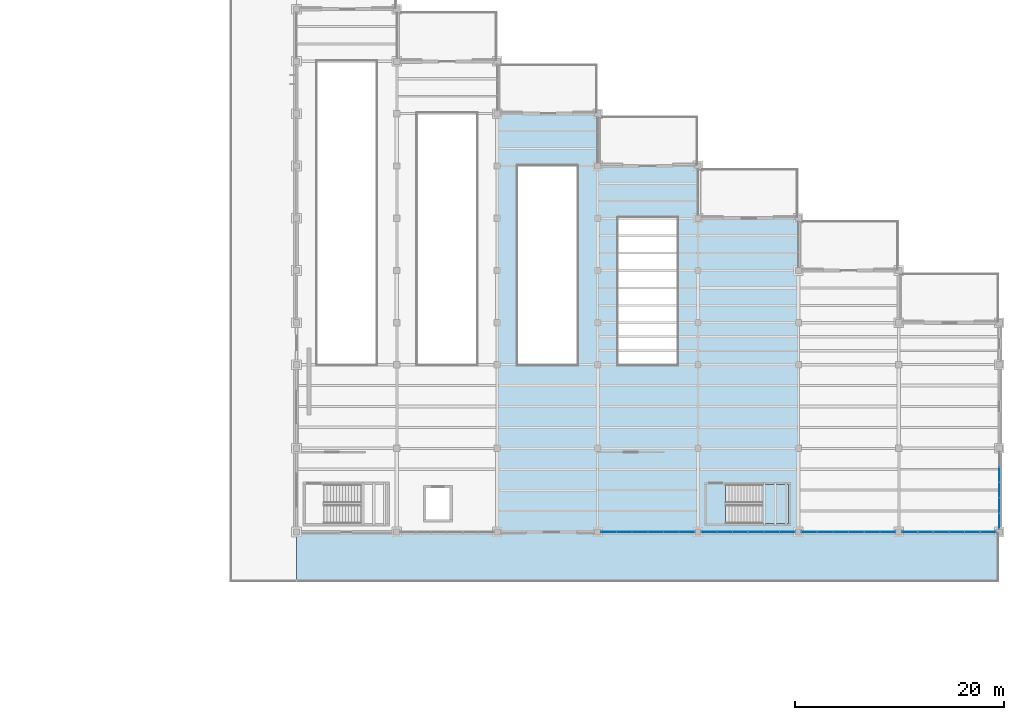
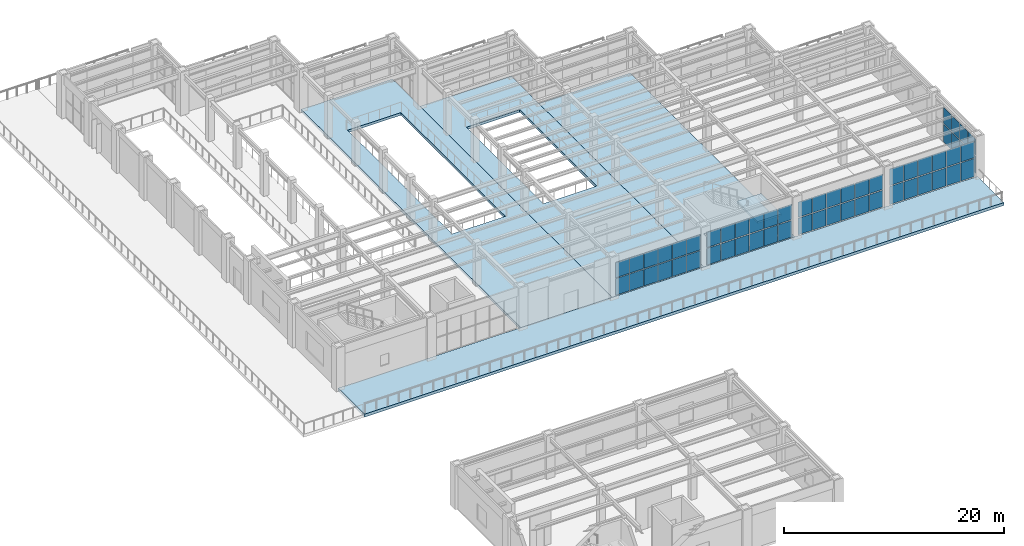
# One storey, part 53 of 83: 56 plates, 5 slabs, 6 elements without a shape of their own.
"""IFC4 building model written with IfcOpenShell, lengths in metres."""

import ifcopenshell
import ifcopenshell.guid

model = None  # the IFC model being written
_history = None  # IfcOwnerHistory: only IFC2X3 demands one
_inside = {}  # id of a spatial element -> (the spatial element, [elements in it])
_under = {}  # id of a project, library or spatial element -> (it, [spatial elements below it])
_declared = {}  # id of a project -> (the project, [libraries it declares])
_typed = {}  # id of a type object -> (the type object, [elements of that type])
_made_of = {}  # id of a material, layer set ... -> (it, [elements and type objects made of it])


def new_model(schema):
    """Start an empty IFC model of exactly this schema.

    Asked for "IFC4X3", IfcOpenShell would pick the latest addendum, in which some entities
    have other attributes; the version numbers below select the first issue.
    IFC2X3 requires an IfcOwnerHistory on every rooted entity: one is made here for all.
    """
    global model, _history
    if schema == "IFC4X3":
        model = ifcopenshell.file(schema_version=(4, 3, 0, 0))
    else:
        model = ifcopenshell.file(schema=schema)
    _inside.clear()
    _under.clear()
    _declared.clear()
    _typed.clear()
    _made_of.clear()
    _history = None
    if model.schema == "IFC2X3":
        org = make("IfcOrganization", Name="unknown")
        user = make(
            "IfcPersonAndOrganization",
            ThePerson=make("IfcPerson", FamilyName="unknown"),
            TheOrganization=org,
        )
        app = make(
            "IfcApplication",
            ApplicationDeveloper=org,
            Version="unknown",
            ApplicationFullName="unknown",
            ApplicationIdentifier="unknown",
        )
        _history = make(
            "IfcOwnerHistory",
            OwningUser=user,
            OwningApplication=app,
            ChangeAction="ADDED",
            CreationDate=0,
        )
    return model


def make(cls, **values):
    """One entity of the class cls with the attributes given. An attribute that is None is left unset."""
    return model.create_entity(
        cls, **{name: value for name, value in values.items() if value is not None}
    )


def rooted(cls, **values):
    """An entity with a GlobalId (a new one), such as an element, a storey or a relation."""
    return make(cls, GlobalId=ifcopenshell.guid.new(), OwnerHistory=_history, **values)


def si_unit(unit_type, name, prefix=None):
    """IfcSIUnit, for example si_unit("LENGTHUNIT", "METRE", prefix="MILLI")."""
    return make("IfcSIUnit", UnitType=unit_type, Prefix=prefix, Name=name)


def assignment(units):
    """IfcUnitAssignment: the units of a project."""
    return None if units is None else make("IfcUnitAssignment", Units=units)


def point(xyz):
    """IfcCartesianPoint."""
    return None if xyz is None else make("IfcCartesianPoint", Coordinates=xyz)


def direction(xyz):
    """IfcDirection."""
    return None if xyz is None else make("IfcDirection", DirectionRatios=xyz)


def frame(location, z_axis=None, x_axis=None):
    """IfcAxis2Placement3D, a coordinate frame: its origin and axes. An axis left out is left unset."""
    return make(
        "IfcAxis2Placement3D",
        Location=point(location),
        Axis=direction(z_axis),
        RefDirection=direction(x_axis),
    )


def frame_2d(location, x_axis=None):
    """IfcAxis2Placement2D, a coordinate frame in the plane: its origin and x axis."""
    return make(
        "IfcAxis2Placement2D", Location=point(location), RefDirection=direction(x_axis)
    )


def origin():
    """The frame at (0, 0, 0) with its axes left unset."""
    return frame((0.0, 0.0, 0.0))


def origin_2d():
    """The frame at (0, 0) in the plane with its x axis left unset."""
    return frame_2d((0.0, 0.0))


def place(relative_to, where):
    """IfcLocalPlacement: puts the frame where relative to a parent placement (None: the world)."""
    return make(
        "IfcLocalPlacement", PlacementRelTo=relative_to, RelativePlacement=where
    )


def context(
    kind, dimensions, precision=None, world=None, true_north=None, identifier=None
):
    """IfcGeometricRepresentationContext, for example the 3D "Model" context."""
    return make(
        "IfcGeometricRepresentationContext",
        ContextIdentifier=identifier,
        ContextType=kind,
        CoordinateSpaceDimension=dimensions,
        Precision=precision,
        WorldCoordinateSystem=world,
        TrueNorth=true_north,
    )


def subcontext(parent, identifier, kind, view, scale=None):
    """IfcGeometricRepresentationSubContext, for example "Body" below "Model"."""
    return make(
        "IfcGeometricRepresentationSubContext",
        ContextIdentifier=identifier,
        ContextType=kind,
        ParentContext=parent,
        TargetScale=scale,
        TargetView=view,
    )


def project(units=None, contexts=None):
    """IfcProject with its units and contexts."""
    return rooted(
        "IfcProject",
        Name="project",
        RepresentationContexts=contexts,
        UnitsInContext=assignment(units),
    )


def spatial(cls, under=None, at=None, **own):
    """A site, building, storey or space (cls), placed at a placement, below another one or the project."""
    s = rooted(cls, ObjectPlacement=at, **own)
    if under is not None:
        _under.setdefault(under.id(), (under, []))[1].append(s)
    return s


def polyline(points):
    """IfcPolyline through the points."""
    return make("IfcPolyline", Points=[point(p) for p in points])


def profile(cls, at=None, kind="AREA", **sizes):
    """A parametric profile (cls). Its sizes go by their IFC names, for example OverallWidth=200.0."""
    return make(cls, ProfileType=kind, Position=at, **sizes)


def rectangle(**sizes):
    """IfcRectangleProfileDef."""
    return profile("IfcRectangleProfileDef", **sizes)


def outline(outer, holes=None, kind="AREA"):
    """IfcArbitraryClosedProfileDef: a profile drawn as a closed curve; with holes, ...WithVoids."""
    if holes is None:
        return make("IfcArbitraryClosedProfileDef", ProfileType=kind, OuterCurve=outer)
    return make(
        "IfcArbitraryProfileDefWithVoids",
        ProfileType=kind,
        OuterCurve=outer,
        InnerCurves=holes,
    )


def extrude(swept, where, along, depth):
    """IfcExtrudedAreaSolid: the profile swept, set in the frame where, extruded along a direction by depth."""
    return make(
        "IfcExtrudedAreaSolid",
        SweptArea=swept,
        Position=where,
        ExtrudedDirection=direction(along),
        Depth=depth,
    )


def shape(context_of_items, identifier, shape_type, items):
    """IfcShapeRepresentation: the items that make up one representation, for example the "Body"."""
    return make(
        "IfcShapeRepresentation",
        ContextOfItems=context_of_items,
        RepresentationIdentifier=identifier,
        RepresentationType=shape_type,
        Items=items,
    )


def material(Name=None, Category=None):
    """IfcMaterial."""
    return make("IfcMaterial", Name=Name, Category=Category)


def layer(
    of_material, thickness, ventilated=None, Name=None, Category=None, Priority=None
):
    """IfcMaterialLayer: one layer of a wall or slab, of a material (None: an air gap)."""
    return make(
        "IfcMaterialLayer",
        Material=of_material,
        LayerThickness=thickness,
        IsVentilated=ventilated,
        Name=Name,
        Category=Category,
        Priority=Priority,
    )


def layer_set(layers, Name=None):
    """IfcMaterialLayerSet."""
    return make("IfcMaterialLayerSet", MaterialLayers=layers, LayerSetName=Name)


def made_of(thing, what):
    """Note that an element or type object is made of a material, layer set ...; save() writes the relation."""
    if what is not None:
        _made_of.setdefault(what.id(), (what, []))[1].append(thing)
    return thing


def type_object(cls, material=None, **own):
    """A type object (cls), such as IfcWallType, which elements share."""
    return made_of(rooted(cls, **own), material)


def element(
    cls,
    number,
    at=None,
    inside=None,
    cuts=None,
    type_object=None,
    material=None,
    context=None,
    identifier="Body",
    shape_type=None,
    held_by="IfcProductDefinitionShape",
    body=None,
    shapes=None,
    **own,
):
    """One element of the class cls, such as IfcWall. Its Tag is "e" and its number.

    at: its placement. inside: the storey or other place that contains it. cuts: it is an
    opening in that element (IfcRelVoidsElement). A single representation is given by context,
    identifier, shape_type and body (its items); several are given by shapes. held_by: the class
    of the entity that holds the representations. save() writes the other relations.
    """
    e = rooted(cls, Tag="e%d" % number, ObjectPlacement=at, **own)
    if body is not None:
        shapes = [shape(context, identifier, shape_type, body)]
    if shapes is not None:
        e.Representation = make(held_by, Representations=shapes)
    if inside is not None:
        _inside.setdefault(inside.id(), (inside, []))[1].append(e)
    if cuts is not None:
        rooted(
            "IfcRelVoidsElement", RelatingBuildingElement=cuts, RelatedOpeningElement=e
        )
    if type_object is not None:
        _typed.setdefault(type_object.id(), (type_object, []))[1].append(e)
    return made_of(e, material)


def aggregate(whole, parts):
    """IfcRelAggregates: a whole, such as a stair, and the parts it consists of."""
    return rooted("IfcRelAggregates", RelatingObject=whole, RelatedObjects=parts)


def save(model, path):
    """Write the relations noted so far, then the file.

    IfcRelAggregates (storeys below a building ...), IfcRelContainedInSpatialStructure (elements
    in a storey), IfcRelDefinesByType, IfcRelAssociatesMaterial and IfcRelDeclares: one each for
    every whole, place, type object, material and project.
    """
    for whole, parts in _under.values():
        aggregate(whole, parts)
    for where, things in _inside.values():
        rooted(
            "IfcRelContainedInSpatialStructure",
            RelatedElements=things,
            RelatingStructure=where,
        )
    for kind, things in _typed.values():
        rooted("IfcRelDefinesByType", RelatedObjects=things, RelatingType=kind)
    for what, things in _made_of.values():
        rooted("IfcRelAssociatesMaterial", RelatedObjects=things, RelatingMaterial=what)
    for by, libraries in _declared.values():
        rooted("IfcRelDeclares", RelatingContext=by, RelatedDefinitions=libraries)
    model.write(path)


model = new_model("IFC4")

# Units and contexts
model_context = context("Model", 3, precision=1e-05, world=origin(), true_north=direction((0.0, 1.0)))
body_context = subcontext(model_context, "Body", "Model", "MODEL_VIEW")
ifc_project = project(units=[si_unit("LENGTHUNIT", "METRE"), si_unit("AREAUNIT", "SQUARE_METRE"), si_unit("VOLUMEUNIT", "CUBIC_METRE"), si_unit("PLANEANGLEUNIT", "RADIAN"), si_unit("MASSUNIT", "GRAM", prefix="KILO")], contexts=[model_context])

# Site, building, storey
site_placement = place(None, origin())
site = spatial("IfcSite", under=ifc_project, at=site_placement, CompositionType="ELEMENT")
building_placement = place(site_placement, origin())
building = spatial("IfcBuilding", under=site, at=building_placement, Name="Mavantir Sound Aquarium", CompositionType="ELEMENT")
storey_placement = place(building_placement, frame((0.0, 0.0, 10.5)))
storey = spatial("IfcBuildingStorey", under=building, at=storey_placement, Name="L02", CompositionType="ELEMENT", Elevation=10.5)

# Curtain wall, plates
ifc_material_1 = material(Name="Anodised Marine Aluminium and Low-E Glass", Category="aluminium")
curtain_wall_type_1 = type_object("IfcCurtainWallType", Name="CW-T15", PredefinedType="USERDEFINED", material=ifc_material_1)
curtain_wall_1_placement = place(storey_placement, origin())
curtain_wall_1 = element("IfcCurtainWall", 1, at=curtain_wall_1_placement, inside=storey, type_object=curtain_wall_type_1, Name="L02 unitised curtain wall CW-15 135", ObjectType="UNITISED GLAZING", PredefinedType="USERDEFINED")
ifc_material_2 = material(Name="Solar-Control Laminated Low-E Glass", Category="glass")
ifc_layer_1 = layer(ifc_material_2, 0.028076171875, Name="Solar-Control Laminated Low-E Glass")
ifc_layer_set_1 = layer_set([ifc_layer_1], Name="Solar-Control Laminated Low-E Glass")
plate_type_1 = type_object("IfcPlateType", Name="CW-PNL-28", PredefinedType="CURTAIN_PANEL", material=ifc_layer_set_1)
plate_1_placement = place(storey_placement, frame((137.856689453125, 40.800048828125, 0.10302734375), z_axis=(0.0, 0.0, 1.0), x_axis=(1.0, 0.0, 0.0)))
plate_1 = element("IfcPlate", 2, at=plate_1_placement, type_object=plate_type_1, Name="CW-L02-135 glazed curtain panel 1.1", PredefinedType="CURTAIN_PANEL", context=body_context, shape_type="SweptSolid", body=[
    extrude(rectangle(XDim=1.44921875, YDim=0.028076171875, at=origin_2d()), origin(), (0.0, 0.0, 1.0), 1.848388671875),
])
plate_2_placement = place(storey_placement, frame((137.856689453125, 40.800048828125, 2.04736328125), z_axis=(0.0, 0.0, 1.0), x_axis=(1.0, 0.0, 0.0)))
plate_2 = element("IfcPlate", 3, at=plate_2_placement, type_object=plate_type_1, Name="CW-L02-135 glazed curtain panel 1.2", PredefinedType="CURTAIN_PANEL", context=body_context, shape_type="SweptSolid", body=[
    extrude(rectangle(XDim=1.44921875, YDim=0.028076171875, at=origin_2d()), origin(), (0.0, 0.0, 1.0), 1.694580078125),
])
plate_3_placement = place(storey_placement, frame((139.35400390625, 40.800048828125, 0.10302734375), z_axis=(0.0, 0.0, 1.0), x_axis=(1.0, 0.0, 0.0)))
plate_3 = element("IfcPlate", 4, at=plate_3_placement, type_object=plate_type_1, Name="CW-L02-135 glazed curtain panel 2.1", PredefinedType="CURTAIN_PANEL", context=body_context, shape_type="SweptSolid", body=[
    extrude(rectangle(XDim=1.44921875, YDim=0.028076171875, at=origin_2d()), origin(), (0.0, 0.0, 1.0), 1.848388671875),
])
plate_4_placement = place(storey_placement, frame((139.35400390625, 40.800048828125, 2.04736328125), z_axis=(0.0, 0.0, 1.0), x_axis=(1.0, 0.0, 0.0)))
plate_4 = element("IfcPlate", 5, at=plate_4_placement, type_object=plate_type_1, Name="CW-L02-135 glazed curtain panel 2.2", PredefinedType="CURTAIN_PANEL", context=body_context, shape_type="SweptSolid", body=[
    extrude(rectangle(XDim=1.44921875, YDim=0.028076171875, at=origin_2d()), origin(), (0.0, 0.0, 1.0), 1.694580078125),
])
plate_5_placement = place(storey_placement, frame((140.851318359375, 40.800048828125, 0.10302734375), z_axis=(0.0, 0.0, 1.0), x_axis=(1.0, 0.0, 0.0)))
plate_5 = element("IfcPlate", 6, at=plate_5_placement, type_object=plate_type_1, Name="CW-L02-135 glazed curtain panel 3.1", PredefinedType="CURTAIN_PANEL", context=body_context, shape_type="SweptSolid", body=[
    extrude(rectangle(XDim=1.44921875, YDim=0.028076171875, at=origin_2d()), origin(), (0.0, 0.0, 1.0), 1.848388671875),
])
plate_6_placement = place(storey_placement, frame((140.851318359375, 40.800048828125, 2.04736328125), z_axis=(0.0, 0.0, 1.0), x_axis=(1.0, 0.0, 0.0)))
plate_6 = element("IfcPlate", 7, at=plate_6_placement, type_object=plate_type_1, Name="CW-L02-135 glazed curtain panel 3.2", PredefinedType="CURTAIN_PANEL", context=body_context, shape_type="SweptSolid", body=[
    extrude(rectangle(XDim=1.44921875, YDim=0.028076171875, at=origin_2d()), origin(), (0.0, 0.0, 1.0), 1.694580078125),
])
plate_7_placement = place(storey_placement, frame((142.3486328125, 40.800048828125, 0.10302734375), z_axis=(0.0, 0.0, 1.0), x_axis=(1.0, 0.0, 0.0)))
plate_7 = element("IfcPlate", 8, at=plate_7_placement, type_object=plate_type_1, Name="CW-L02-135 glazed curtain panel 4.1", PredefinedType="CURTAIN_PANEL", context=body_context, shape_type="SweptSolid", body=[
    extrude(rectangle(XDim=1.44921875, YDim=0.028076171875, at=origin_2d()), origin(), (0.0, 0.0, 1.0), 1.848388671875),
])
plate_8_placement = place(storey_placement, frame((142.3486328125, 40.800048828125, 2.04736328125), z_axis=(0.0, 0.0, 1.0), x_axis=(1.0, 0.0, 0.0)))
plate_8 = element("IfcPlate", 9, at=plate_8_placement, type_object=plate_type_1, Name="CW-L02-135 glazed curtain panel 4.2", PredefinedType="CURTAIN_PANEL", context=body_context, shape_type="SweptSolid", body=[
    extrude(rectangle(XDim=1.44921875, YDim=0.028076171875, at=origin_2d()), origin(), (0.0, 0.0, 1.0), 1.694580078125),
])
plate_9_placement = place(storey_placement, frame((143.845947265625, 40.800048828125, 0.10302734375), z_axis=(0.0, 0.0, 1.0), x_axis=(1.0, 0.0, 0.0)))
plate_9 = element("IfcPlate", 10, at=plate_9_placement, type_object=plate_type_1, Name="CW-L02-135 glazed curtain panel 5.1", PredefinedType="CURTAIN_PANEL", context=body_context, shape_type="SweptSolid", body=[
    extrude(rectangle(XDim=1.44921875, YDim=0.028076171875, at=origin_2d()), origin(), (0.0, 0.0, 1.0), 1.848388671875),
])
plate_10_placement = place(storey_placement, frame((143.845947265625, 40.800048828125, 2.04736328125), z_axis=(0.0, 0.0, 1.0), x_axis=(1.0, 0.0, 0.0)))
plate_10 = element("IfcPlate", 11, at=plate_10_placement, type_object=plate_type_1, Name="CW-L02-135 glazed curtain panel 5.2", PredefinedType="CURTAIN_PANEL", context=body_context, shape_type="SweptSolid", body=[
    extrude(rectangle(XDim=1.44921875, YDim=0.028076171875, at=origin_2d()), origin(), (0.0, 0.0, 1.0), 1.694580078125),
])
plate_11_placement = place(storey_placement, frame((145.34326171875, 40.800048828125, 0.10302734375), z_axis=(0.0, 0.0, 1.0), x_axis=(1.0, 0.0, 0.0)))
plate_11 = element("IfcPlate", 12, at=plate_11_placement, type_object=plate_type_1, Name="CW-L02-135 glazed curtain panel 6.1", PredefinedType="CURTAIN_PANEL", context=body_context, shape_type="SweptSolid", body=[
    extrude(rectangle(XDim=1.44921875, YDim=0.028076171875, at=origin_2d()), origin(), (0.0, 0.0, 1.0), 1.848388671875),
])
plate_12_placement = place(storey_placement, frame((145.34326171875, 40.800048828125, 2.04736328125), z_axis=(0.0, 0.0, 1.0), x_axis=(1.0, 0.0, 0.0)))
plate_12 = element("IfcPlate", 13, at=plate_12_placement, type_object=plate_type_1, Name="CW-L02-135 glazed curtain panel 6.2", PredefinedType="CURTAIN_PANEL", context=body_context, shape_type="SweptSolid", body=[
    extrude(rectangle(XDim=1.44921875, YDim=0.028076171875, at=origin_2d()), origin(), (0.0, 0.0, 1.0), 1.694580078125),
])
aggregate(curtain_wall_1, [plate_1, plate_2, plate_3, plate_4, plate_5, plate_6, plate_7, plate_8, plate_9, plate_10, plate_11, plate_12])

curtain_wall_type_2 = type_object("IfcCurtainWallType", Name="CW-T17", PredefinedType="USERDEFINED", material=ifc_material_1)
curtain_wall_2_placement = place(storey_placement, origin())
curtain_wall_2 = element("IfcCurtainWall", 14, at=curtain_wall_2_placement, inside=storey, type_object=curtain_wall_type_2, Name="L02 unitised curtain wall CW-17 137", ObjectType="UNITISED GLAZING", PredefinedType="USERDEFINED")
plate_13_placement = place(storey_placement, frame((157.056640625, 40.800048828125, 0.10302734375), z_axis=(0.0, 0.0, 1.0), x_axis=(1.0, 0.0, 0.0)))
plate_13 = element("IfcPlate", 15, at=plate_13_placement, type_object=plate_type_1, Name="CW-L02-137 glazed curtain panel 1.1", PredefinedType="CURTAIN_PANEL", context=body_context, shape_type="SweptSolid", body=[
    extrude(rectangle(XDim=1.44921875, YDim=0.028076171875, at=origin_2d()), origin(), (0.0, 0.0, 1.0), 1.848388671875),
])
plate_14_placement = place(storey_placement, frame((157.056640625, 40.800048828125, 2.04736328125), z_axis=(0.0, 0.0, 1.0), x_axis=(1.0, 0.0, 0.0)))
plate_14 = element("IfcPlate", 16, at=plate_14_placement, type_object=plate_type_1, Name="CW-L02-137 glazed curtain panel 1.2", PredefinedType="CURTAIN_PANEL", context=body_context, shape_type="SweptSolid", body=[
    extrude(rectangle(XDim=1.44921875, YDim=0.028076171875, at=origin_2d()), origin(), (0.0, 0.0, 1.0), 1.694580078125),
])
plate_15_placement = place(storey_placement, frame((158.553955078125, 40.800048828125, 0.10302734375), z_axis=(0.0, 0.0, 1.0), x_axis=(1.0, 0.0, 0.0)))
plate_15 = element("IfcPlate", 17, at=plate_15_placement, type_object=plate_type_1, Name="CW-L02-137 glazed curtain panel 2.1", PredefinedType="CURTAIN_PANEL", context=body_context, shape_type="SweptSolid", body=[
    extrude(rectangle(XDim=1.44921875, YDim=0.028076171875, at=origin_2d()), origin(), (0.0, 0.0, 1.0), 1.848388671875),
])
plate_16_placement = place(storey_placement, frame((158.553955078125, 40.800048828125, 2.04736328125), z_axis=(0.0, 0.0, 1.0), x_axis=(1.0, 0.0, 0.0)))
plate_16 = element("IfcPlate", 18, at=plate_16_placement, type_object=plate_type_1, Name="CW-L02-137 glazed curtain panel 2.2", PredefinedType="CURTAIN_PANEL", context=body_context, shape_type="SweptSolid", body=[
    extrude(rectangle(XDim=1.44921875, YDim=0.028076171875, at=origin_2d()), origin(), (0.0, 0.0, 1.0), 1.694580078125),
])
plate_17_placement = place(storey_placement, frame((160.05126953125, 40.800048828125, 0.10302734375), z_axis=(0.0, 0.0, 1.0), x_axis=(1.0, 0.0, 0.0)))
plate_17 = element("IfcPlate", 19, at=plate_17_placement, type_object=plate_type_1, Name="CW-L02-137 glazed curtain panel 3.1", PredefinedType="CURTAIN_PANEL", context=body_context, shape_type="SweptSolid", body=[
    extrude(rectangle(XDim=1.44921875, YDim=0.028076171875, at=origin_2d()), origin(), (0.0, 0.0, 1.0), 1.848388671875),
])
plate_18_placement = place(storey_placement, frame((160.05126953125, 40.800048828125, 2.04736328125), z_axis=(0.0, 0.0, 1.0), x_axis=(1.0, 0.0, 0.0)))
plate_18 = element("IfcPlate", 20, at=plate_18_placement, type_object=plate_type_1, Name="CW-L02-137 glazed curtain panel 3.2", PredefinedType="CURTAIN_PANEL", context=body_context, shape_type="SweptSolid", body=[
    extrude(rectangle(XDim=1.44921875, YDim=0.028076171875, at=origin_2d()), origin(), (0.0, 0.0, 1.0), 1.694580078125),
])
plate_19_placement = place(storey_placement, frame((161.548583984375, 40.800048828125, 0.10302734375), z_axis=(0.0, 0.0, 1.0), x_axis=(1.0, 0.0, 0.0)))
plate_19 = element("IfcPlate", 21, at=plate_19_placement, type_object=plate_type_1, Name="CW-L02-137 glazed curtain panel 4.1", PredefinedType="CURTAIN_PANEL", context=body_context, shape_type="SweptSolid", body=[
    extrude(rectangle(XDim=1.44921875, YDim=0.028076171875, at=origin_2d()), origin(), (0.0, 0.0, 1.0), 1.848388671875),
])
plate_20_placement = place(storey_placement, frame((161.548583984375, 40.800048828125, 2.04736328125), z_axis=(0.0, 0.0, 1.0), x_axis=(1.0, 0.0, 0.0)))
plate_20 = element("IfcPlate", 22, at=plate_20_placement, type_object=plate_type_1, Name="CW-L02-137 glazed curtain panel 4.2", PredefinedType="CURTAIN_PANEL", context=body_context, shape_type="SweptSolid", body=[
    extrude(rectangle(XDim=1.44921875, YDim=0.028076171875, at=origin_2d()), origin(), (0.0, 0.0, 1.0), 1.694580078125),
])
plate_21_placement = place(storey_placement, frame((163.0458984375, 40.800048828125, 0.10302734375), z_axis=(0.0, 0.0, 1.0), x_axis=(1.0, 0.0, 0.0)))
plate_21 = element("IfcPlate", 23, at=plate_21_placement, type_object=plate_type_1, Name="CW-L02-137 glazed curtain panel 5.1", PredefinedType="CURTAIN_PANEL", context=body_context, shape_type="SweptSolid", body=[
    extrude(rectangle(XDim=1.44921875, YDim=0.028076171875, at=origin_2d()), origin(), (0.0, 0.0, 1.0), 1.848388671875),
])
plate_22_placement = place(storey_placement, frame((163.0458984375, 40.800048828125, 2.04736328125), z_axis=(0.0, 0.0, 1.0), x_axis=(1.0, 0.0, 0.0)))
plate_22 = element("IfcPlate", 24, at=plate_22_placement, type_object=plate_type_1, Name="CW-L02-137 glazed curtain panel 5.2", PredefinedType="CURTAIN_PANEL", context=body_context, shape_type="SweptSolid", body=[
    extrude(rectangle(XDim=1.44921875, YDim=0.028076171875, at=origin_2d()), origin(), (0.0, 0.0, 1.0), 1.694580078125),
])
plate_23_placement = place(storey_placement, frame((164.543212890625, 40.800048828125, 0.10302734375), z_axis=(0.0, 0.0, 1.0), x_axis=(1.0, 0.0, 0.0)))
plate_23 = element("IfcPlate", 25, at=plate_23_placement, type_object=plate_type_1, Name="CW-L02-137 glazed curtain panel 6.1", PredefinedType="CURTAIN_PANEL", context=body_context, shape_type="SweptSolid", body=[
    extrude(rectangle(XDim=1.44921875, YDim=0.028076171875, at=origin_2d()), origin(), (0.0, 0.0, 1.0), 1.848388671875),
])
plate_24_placement = place(storey_placement, frame((164.543212890625, 40.800048828125, 2.04736328125), z_axis=(0.0, 0.0, 1.0), x_axis=(1.0, 0.0, 0.0)))
plate_24 = element("IfcPlate", 26, at=plate_24_placement, type_object=plate_type_1, Name="CW-L02-137 glazed curtain panel 6.2", PredefinedType="CURTAIN_PANEL", context=body_context, shape_type="SweptSolid", body=[
    extrude(rectangle(XDim=1.44921875, YDim=0.028076171875, at=origin_2d()), origin(), (0.0, 0.0, 1.0), 1.694580078125),
])
aggregate(curtain_wall_2, [plate_13, plate_14, plate_15, plate_16, plate_17, plate_18, plate_19, plate_20, plate_21, plate_22, plate_23, plate_24])

curtain_wall_type_3 = type_object("IfcCurtainWallType", Name="CW-T19", PredefinedType="USERDEFINED", material=ifc_material_1)
curtain_wall_3_placement = place(storey_placement, origin())
curtain_wall_3 = element("IfcCurtainWall", 27, at=curtain_wall_3_placement, inside=storey, type_object=curtain_wall_type_3, Name="L02 unitised curtain wall CW-19 139", ObjectType="UNITISED GLAZING", PredefinedType="USERDEFINED")
plate_25_placement = place(storey_placement, frame((175.199951171875, 41.846435546875, 0.10302734375), z_axis=(0.0, 0.0, 1.0), x_axis=(0.0, 1.0, 0.0)))
plate_25 = element("IfcPlate", 28, at=plate_25_placement, type_object=plate_type_1, Name="CW-L02-139 glazed curtain panel 1.1", PredefinedType="CURTAIN_PANEL", context=body_context, shape_type="SweptSolid", body=[
    extrude(rectangle(XDim=1.4287109375, YDim=0.028076171875, at=origin_2d()), origin(), (0.0, 0.0, 1.0), 1.94921875),
])
plate_26_placement = place(storey_placement, frame((175.199951171875, 41.846435546875, 2.148193359375), z_axis=(0.0, 0.0, 1.0), x_axis=(0.0, 1.0, 0.0)))
plate_26 = element("IfcPlate", 29, at=plate_26_placement, type_object=plate_type_1, Name="CW-L02-139 glazed curtain panel 1.2", PredefinedType="CURTAIN_PANEL", context=body_context, shape_type="SweptSolid", body=[
    extrude(rectangle(XDim=1.4287109375, YDim=0.028076171875, at=origin_2d()), origin(), (0.0, 0.0, 1.0), 1.78759765625),
])
plate_27_placement = place(storey_placement, frame((175.199951171875, 43.3232421875, 0.10302734375), z_axis=(0.0, 0.0, 1.0), x_axis=(0.0, 1.0, 0.0)))
plate_27 = element("IfcPlate", 30, at=plate_27_placement, type_object=plate_type_1, Name="CW-L02-139 glazed curtain panel 2.1", PredefinedType="CURTAIN_PANEL", context=body_context, shape_type="SweptSolid", body=[
    extrude(rectangle(XDim=1.4287109375, YDim=0.028076171875, at=origin_2d()), origin(), (0.0, 0.0, 1.0), 1.94921875),
])
plate_28_placement = place(storey_placement, frame((175.199951171875, 43.3232421875, 2.148193359375), z_axis=(0.0, 0.0, 1.0), x_axis=(0.0, 1.0, 0.0)))
plate_28 = element("IfcPlate", 31, at=plate_28_placement, type_object=plate_type_1, Name="CW-L02-139 glazed curtain panel 2.2", PredefinedType="CURTAIN_PANEL", context=body_context, shape_type="SweptSolid", body=[
    extrude(rectangle(XDim=1.4287109375, YDim=0.028076171875, at=origin_2d()), origin(), (0.0, 0.0, 1.0), 1.78759765625),
])
plate_29_placement = place(storey_placement, frame((175.199951171875, 44.800048828125, 0.10302734375), z_axis=(0.0, 0.0, 1.0), x_axis=(0.0, 1.0, 0.0)))
plate_29 = element("IfcPlate", 32, at=plate_29_placement, type_object=plate_type_1, Name="CW-L02-139 glazed curtain panel 3.1", PredefinedType="CURTAIN_PANEL", context=body_context, shape_type="SweptSolid", body=[
    extrude(rectangle(XDim=1.4287109375, YDim=0.028076171875, at=origin_2d()), origin(), (0.0, 0.0, 1.0), 1.94921875),
])
plate_30_placement = place(storey_placement, frame((175.199951171875, 44.800048828125, 2.148193359375), z_axis=(0.0, 0.0, 1.0), x_axis=(0.0, 1.0, 0.0)))
plate_30 = element("IfcPlate", 33, at=plate_30_placement, type_object=plate_type_1, Name="CW-L02-139 glazed curtain panel 3.2", PredefinedType="CURTAIN_PANEL", context=body_context, shape_type="SweptSolid", body=[
    extrude(rectangle(XDim=1.4287109375, YDim=0.028076171875, at=origin_2d()), origin(), (0.0, 0.0, 1.0), 1.78759765625),
])
plate_31_placement = place(storey_placement, frame((175.199951171875, 46.27685546875, 0.10302734375), z_axis=(0.0, 0.0, 1.0), x_axis=(0.0, 1.0, 0.0)))
plate_31 = element("IfcPlate", 34, at=plate_31_placement, type_object=plate_type_1, Name="CW-L02-139 glazed curtain panel 4.1", PredefinedType="CURTAIN_PANEL", context=body_context, shape_type="SweptSolid", body=[
    extrude(rectangle(XDim=1.4287109375, YDim=0.028076171875, at=origin_2d()), origin(), (0.0, 0.0, 1.0), 1.94921875),
])
plate_32_placement = place(storey_placement, frame((175.199951171875, 46.27685546875, 2.148193359375), z_axis=(0.0, 0.0, 1.0), x_axis=(0.0, 1.0, 0.0)))
plate_32 = element("IfcPlate", 35, at=plate_32_placement, type_object=plate_type_1, Name="CW-L02-139 glazed curtain panel 4.2", PredefinedType="CURTAIN_PANEL", context=body_context, shape_type="SweptSolid", body=[
    extrude(rectangle(XDim=1.4287109375, YDim=0.028076171875, at=origin_2d()), origin(), (0.0, 0.0, 1.0), 1.78759765625),
])
aggregate(curtain_wall_3, [plate_25, plate_26, plate_27, plate_28, plate_29, plate_30, plate_31, plate_32])

curtain_wall_type_4 = type_object("IfcCurtainWallType", Name="CW-T16", PredefinedType="USERDEFINED", material=ifc_material_1)
curtain_wall_4_placement = place(storey_placement, origin())
curtain_wall_4 = element("IfcCurtainWall", 36, at=curtain_wall_4_placement, inside=storey, type_object=curtain_wall_type_4, Name="L02 unitised curtain wall CW-16 136", ObjectType="UNITISED GLAZING", PredefinedType="USERDEFINED")
ifc_layer_2 = layer(ifc_material_2, 0.031982421875, Name="Solar-Control Laminated Low-E Glass")
ifc_layer_set_2 = layer_set([ifc_layer_2], Name="Solar-Control Laminated Low-E Glass")
plate_type_2 = type_object("IfcPlateType", Name="CW-PNL-32", PredefinedType="CURTAIN_PANEL", material=ifc_layer_set_2)
plate_33_placement = place(storey_placement, frame((147.456787109375, 40.800048828125, 0.10302734375), z_axis=(0.0, 0.0, 1.0), x_axis=(1.0, 0.0, 0.0)))
plate_33 = element("IfcPlate", 37, at=plate_33_placement, type_object=plate_type_2, Name="CW-L02-136 glazed curtain panel 1.1", PredefinedType="CURTAIN_PANEL", context=body_context, shape_type="SweptSolid", body=[
    extrude(rectangle(XDim=1.44921875, YDim=0.031982421875, at=origin_2d()), origin(), (0.0, 0.0, 1.0), 1.848388671875),
])
plate_34_placement = place(storey_placement, frame((147.456787109375, 40.800048828125, 2.04736328125), z_axis=(0.0, 0.0, 1.0), x_axis=(1.0, 0.0, 0.0)))
plate_34 = element("IfcPlate", 38, at=plate_34_placement, type_object=plate_type_2, Name="CW-L02-136 glazed curtain panel 1.2", PredefinedType="CURTAIN_PANEL", context=body_context, shape_type="SweptSolid", body=[
    extrude(rectangle(XDim=1.44921875, YDim=0.031982421875, at=origin_2d()), origin(), (0.0, 0.0, 1.0), 1.694580078125),
])
plate_35_placement = place(storey_placement, frame((148.9541015625, 40.800048828125, 0.10302734375), z_axis=(0.0, 0.0, 1.0), x_axis=(1.0, 0.0, 0.0)))
plate_35 = element("IfcPlate", 39, at=plate_35_placement, type_object=plate_type_2, Name="CW-L02-136 glazed curtain panel 2.1", PredefinedType="CURTAIN_PANEL", context=body_context, shape_type="SweptSolid", body=[
    extrude(rectangle(XDim=1.44921875, YDim=0.031982421875, at=origin_2d()), origin(), (0.0, 0.0, 1.0), 1.848388671875),
])
plate_36_placement = place(storey_placement, frame((148.9541015625, 40.800048828125, 2.04736328125), z_axis=(0.0, 0.0, 1.0), x_axis=(1.0, 0.0, 0.0)))
plate_36 = element("IfcPlate", 40, at=plate_36_placement, type_object=plate_type_2, Name="CW-L02-136 glazed curtain panel 2.2", PredefinedType="CURTAIN_PANEL", context=body_context, shape_type="SweptSolid", body=[
    extrude(rectangle(XDim=1.44921875, YDim=0.031982421875, at=origin_2d()), origin(), (0.0, 0.0, 1.0), 1.694580078125),
])
plate_37_placement = place(storey_placement, frame((150.451416015625, 40.800048828125, 0.10302734375), z_axis=(0.0, 0.0, 1.0), x_axis=(1.0, 0.0, 0.0)))
plate_37 = element("IfcPlate", 41, at=plate_37_placement, type_object=plate_type_2, Name="CW-L02-136 glazed curtain panel 3.1", PredefinedType="CURTAIN_PANEL", context=body_context, shape_type="SweptSolid", body=[
    extrude(rectangle(XDim=1.44921875, YDim=0.031982421875, at=origin_2d()), origin(), (0.0, 0.0, 1.0), 1.848388671875),
])
plate_38_placement = place(storey_placement, frame((150.451416015625, 40.800048828125, 2.04736328125), z_axis=(0.0, 0.0, 1.0), x_axis=(1.0, 0.0, 0.0)))
plate_38 = element("IfcPlate", 42, at=plate_38_placement, type_object=plate_type_2, Name="CW-L02-136 glazed curtain panel 3.2", PredefinedType="CURTAIN_PANEL", context=body_context, shape_type="SweptSolid", body=[
    extrude(rectangle(XDim=1.44921875, YDim=0.031982421875, at=origin_2d()), origin(), (0.0, 0.0, 1.0), 1.694580078125),
])
plate_39_placement = place(storey_placement, frame((151.94873046875, 40.800048828125, 0.10302734375), z_axis=(0.0, 0.0, 1.0), x_axis=(1.0, 0.0, 0.0)))
plate_39 = element("IfcPlate", 43, at=plate_39_placement, type_object=plate_type_2, Name="CW-L02-136 glazed curtain panel 4.1", PredefinedType="CURTAIN_PANEL", context=body_context, shape_type="SweptSolid", body=[
    extrude(rectangle(XDim=1.44921875, YDim=0.031982421875, at=origin_2d()), origin(), (0.0, 0.0, 1.0), 1.848388671875),
])
plate_40_placement = place(storey_placement, frame((151.94873046875, 40.800048828125, 2.04736328125), z_axis=(0.0, 0.0, 1.0), x_axis=(1.0, 0.0, 0.0)))
plate_40 = element("IfcPlate", 44, at=plate_40_placement, type_object=plate_type_2, Name="CW-L02-136 glazed curtain panel 4.2", PredefinedType="CURTAIN_PANEL", context=body_context, shape_type="SweptSolid", body=[
    extrude(rectangle(XDim=1.44921875, YDim=0.031982421875, at=origin_2d()), origin(), (0.0, 0.0, 1.0), 1.694580078125),
])
plate_41_placement = place(storey_placement, frame((153.446044921875, 40.800048828125, 0.10302734375), z_axis=(0.0, 0.0, 1.0), x_axis=(1.0, 0.0, 0.0)))
plate_41 = element("IfcPlate", 45, at=plate_41_placement, type_object=plate_type_2, Name="CW-L02-136 glazed curtain panel 5.1", PredefinedType="CURTAIN_PANEL", context=body_context, shape_type="SweptSolid", body=[
    extrude(rectangle(XDim=1.44921875, YDim=0.031982421875, at=origin_2d()), origin(), (0.0, 0.0, 1.0), 1.848388671875),
])
plate_42_placement = place(storey_placement, frame((153.446044921875, 40.800048828125, 2.04736328125), z_axis=(0.0, 0.0, 1.0), x_axis=(1.0, 0.0, 0.0)))
plate_42 = element("IfcPlate", 46, at=plate_42_placement, type_object=plate_type_2, Name="CW-L02-136 glazed curtain panel 5.2", PredefinedType="CURTAIN_PANEL", context=body_context, shape_type="SweptSolid", body=[
    extrude(rectangle(XDim=1.44921875, YDim=0.031982421875, at=origin_2d()), origin(), (0.0, 0.0, 1.0), 1.694580078125),
])
plate_43_placement = place(storey_placement, frame((154.943359375, 40.800048828125, 0.10302734375), z_axis=(0.0, 0.0, 1.0), x_axis=(1.0, 0.0, 0.0)))
plate_43 = element("IfcPlate", 47, at=plate_43_placement, type_object=plate_type_2, Name="CW-L02-136 glazed curtain panel 6.1", PredefinedType="CURTAIN_PANEL", context=body_context, shape_type="SweptSolid", body=[
    extrude(rectangle(XDim=1.44921875, YDim=0.031982421875, at=origin_2d()), origin(), (0.0, 0.0, 1.0), 1.848388671875),
])
plate_44_placement = place(storey_placement, frame((154.943359375, 40.800048828125, 2.04736328125), z_axis=(0.0, 0.0, 1.0), x_axis=(1.0, 0.0, 0.0)))
plate_44 = element("IfcPlate", 48, at=plate_44_placement, type_object=plate_type_2, Name="CW-L02-136 glazed curtain panel 6.2", PredefinedType="CURTAIN_PANEL", context=body_context, shape_type="SweptSolid", body=[
    extrude(rectangle(XDim=1.44921875, YDim=0.031982421875, at=origin_2d()), origin(), (0.0, 0.0, 1.0), 1.694580078125),
])
aggregate(curtain_wall_4, [plate_33, plate_34, plate_35, plate_36, plate_37, plate_38, plate_39, plate_40, plate_41, plate_42, plate_43, plate_44])

curtain_wall_type_5 = type_object("IfcCurtainWallType", Name="CW-T18", PredefinedType="USERDEFINED", material=ifc_material_1)
curtain_wall_5_placement = place(storey_placement, origin())
curtain_wall_5 = element("IfcCurtainWall", 49, at=curtain_wall_5_placement, inside=storey, type_object=curtain_wall_type_5, Name="L02 unitised curtain wall CW-18 138", ObjectType="UNITISED GLAZING", PredefinedType="USERDEFINED")
plate_45_placement = place(storey_placement, frame((166.65673828125, 40.800048828125, 0.10302734375), z_axis=(0.0, 0.0, 1.0), x_axis=(1.0, 0.0, 0.0)))
plate_45 = element("IfcPlate", 50, at=plate_45_placement, type_object=plate_type_2, Name="CW-L02-138 glazed curtain panel 1.1", PredefinedType="CURTAIN_PANEL", context=body_context, shape_type="SweptSolid", body=[
    extrude(rectangle(XDim=1.44921875, YDim=0.031982421875, at=origin_2d()), origin(), (0.0, 0.0, 1.0), 2.006103515625),
])
plate_46_placement = place(storey_placement, frame((166.65673828125, 40.800048828125, 2.205078125), z_axis=(0.0, 0.0, 1.0), x_axis=(1.0, 0.0, 0.0)))
plate_46 = element("IfcPlate", 51, at=plate_46_placement, type_object=plate_type_2, Name="CW-L02-138 glazed curtain panel 1.2", PredefinedType="CURTAIN_PANEL", context=body_context, shape_type="SweptSolid", body=[
    extrude(rectangle(XDim=1.44921875, YDim=0.031982421875, at=origin_2d()), origin(), (0.0, 0.0, 1.0), 1.840087890625),
])
plate_47_placement = place(storey_placement, frame((168.154052734375, 40.800048828125, 0.10302734375), z_axis=(0.0, 0.0, 1.0), x_axis=(1.0, 0.0, 0.0)))
plate_47 = element("IfcPlate", 52, at=plate_47_placement, type_object=plate_type_2, Name="CW-L02-138 glazed curtain panel 2.1", PredefinedType="CURTAIN_PANEL", context=body_context, shape_type="SweptSolid", body=[
    extrude(rectangle(XDim=1.44921875, YDim=0.031982421875, at=origin_2d()), origin(), (0.0, 0.0, 1.0), 2.006103515625),
])
plate_48_placement = place(storey_placement, frame((168.154052734375, 40.800048828125, 2.205078125), z_axis=(0.0, 0.0, 1.0), x_axis=(1.0, 0.0, 0.0)))
plate_48 = element("IfcPlate", 53, at=plate_48_placement, type_object=plate_type_2, Name="CW-L02-138 glazed curtain panel 2.2", PredefinedType="CURTAIN_PANEL", context=body_context, shape_type="SweptSolid", body=[
    extrude(rectangle(XDim=1.44921875, YDim=0.031982421875, at=origin_2d()), origin(), (0.0, 0.0, 1.0), 1.840087890625),
])
plate_49_placement = place(storey_placement, frame((169.6513671875, 40.800048828125, 0.10302734375), z_axis=(0.0, 0.0, 1.0), x_axis=(1.0, 0.0, 0.0)))
plate_49 = element("IfcPlate", 54, at=plate_49_placement, type_object=plate_type_2, Name="CW-L02-138 glazed curtain panel 3.1", PredefinedType="CURTAIN_PANEL", context=body_context, shape_type="SweptSolid", body=[
    extrude(rectangle(XDim=1.44921875, YDim=0.031982421875, at=origin_2d()), origin(), (0.0, 0.0, 1.0), 2.006103515625),
])
plate_50_placement = place(storey_placement, frame((169.6513671875, 40.800048828125, 2.205078125), z_axis=(0.0, 0.0, 1.0), x_axis=(1.0, 0.0, 0.0)))
plate_50 = element("IfcPlate", 55, at=plate_50_placement, type_object=plate_type_2, Name="CW-L02-138 glazed curtain panel 3.2", PredefinedType="CURTAIN_PANEL", context=body_context, shape_type="SweptSolid", body=[
    extrude(rectangle(XDim=1.44921875, YDim=0.031982421875, at=origin_2d()), origin(), (0.0, 0.0, 1.0), 1.840087890625),
])
plate_51_placement = place(storey_placement, frame((171.148681640625, 40.800048828125, 0.10302734375), z_axis=(0.0, 0.0, 1.0), x_axis=(1.0, 0.0, 0.0)))
plate_51 = element("IfcPlate", 56, at=plate_51_placement, type_object=plate_type_2, Name="CW-L02-138 glazed curtain panel 4.1", PredefinedType="CURTAIN_PANEL", context=body_context, shape_type="SweptSolid", body=[
    extrude(rectangle(XDim=1.44921875, YDim=0.031982421875, at=origin_2d()), origin(), (0.0, 0.0, 1.0), 2.006103515625),
])
plate_52_placement = place(storey_placement, frame((171.148681640625, 40.800048828125, 2.205078125), z_axis=(0.0, 0.0, 1.0), x_axis=(1.0, 0.0, 0.0)))
plate_52 = element("IfcPlate", 57, at=plate_52_placement, type_object=plate_type_2, Name="CW-L02-138 glazed curtain panel 4.2", PredefinedType="CURTAIN_PANEL", context=body_context, shape_type="SweptSolid", body=[
    extrude(rectangle(XDim=1.44921875, YDim=0.031982421875, at=origin_2d()), origin(), (0.0, 0.0, 1.0), 1.840087890625),
])
plate_53_placement = place(storey_placement, frame((172.64599609375, 40.800048828125, 0.10302734375), z_axis=(0.0, 0.0, 1.0), x_axis=(1.0, 0.0, 0.0)))
plate_53 = element("IfcPlate", 58, at=plate_53_placement, type_object=plate_type_2, Name="CW-L02-138 glazed curtain panel 5.1", PredefinedType="CURTAIN_PANEL", context=body_context, shape_type="SweptSolid", body=[
    extrude(rectangle(XDim=1.44921875, YDim=0.031982421875, at=origin_2d()), origin(), (0.0, 0.0, 1.0), 2.006103515625),
])
plate_54_placement = place(storey_placement, frame((172.64599609375, 40.800048828125, 2.205078125), z_axis=(0.0, 0.0, 1.0), x_axis=(1.0, 0.0, 0.0)))
plate_54 = element("IfcPlate", 59, at=plate_54_placement, type_object=plate_type_2, Name="CW-L02-138 glazed curtain panel 5.2", PredefinedType="CURTAIN_PANEL", context=body_context, shape_type="SweptSolid", body=[
    extrude(rectangle(XDim=1.44921875, YDim=0.031982421875, at=origin_2d()), origin(), (0.0, 0.0, 1.0), 1.840087890625),
])
plate_55_placement = place(storey_placement, frame((174.143310546875, 40.800048828125, 0.10302734375), z_axis=(0.0, 0.0, 1.0), x_axis=(1.0, 0.0, 0.0)))
plate_55 = element("IfcPlate", 60, at=plate_55_placement, type_object=plate_type_2, Name="CW-L02-138 glazed curtain panel 6.1", PredefinedType="CURTAIN_PANEL", context=body_context, shape_type="SweptSolid", body=[
    extrude(rectangle(XDim=1.44921875, YDim=0.031982421875, at=origin_2d()), origin(), (0.0, 0.0, 1.0), 2.006103515625),
])
plate_56_placement = place(storey_placement, frame((174.143310546875, 40.800048828125, 2.205078125), z_axis=(0.0, 0.0, 1.0), x_axis=(1.0, 0.0, 0.0)))
plate_56 = element("IfcPlate", 61, at=plate_56_placement, type_object=plate_type_2, Name="CW-L02-138 glazed curtain panel 6.2", PredefinedType="CURTAIN_PANEL", context=body_context, shape_type="SweptSolid", body=[
    extrude(rectangle(XDim=1.44921875, YDim=0.031982421875, at=origin_2d()), origin(), (0.0, 0.0, 1.0), 1.840087890625),
])
aggregate(curtain_wall_5, [plate_45, plate_46, plate_47, plate_48, plate_49, plate_50, plate_51, plate_52, plate_53, plate_54, plate_55, plate_56])

# Slabs
ifc_material_3 = material(Name="Concrete C40/50", Category="concrete")
ifc_layer_3 = layer(ifc_material_3, 0.2900390625, Name="Concrete C40/50")
ifc_layer_set_3 = layer_set([ifc_layer_3], Name="Concrete C40/50")
slab_type_1 = type_object("IfcSlabType", Name="SLB-FS-06", PredefinedType="FLOOR", material=ifc_layer_set_3)
slab_1_placement = place(storey_placement, frame((0.0, 0.0, -0.2900390625)))
element("IfcSlab", 62, at=slab_1_placement, inside=storey, type_object=slab_type_1, Name="L02 structural slab FS-06 (V4)", PredefinedType="FLOOR", context=body_context, shape_type="SweptSolid", body=[
    extrude(outline(polyline([(136.800048828125, 40.800048828125), (136.800048828125, 80.800048828125), (127.199951171875, 80.800048828125), (127.199951171875, 40.800048828125), (136.800048828125, 40.800048828125)]), holes=[polyline([(129.199951171875, 56.800048828125), (134.800048828125, 56.800048828125), (134.800048828125, 75.800048828125), (129.199951171875, 75.800048828125), (129.199951171875, 56.800048828125)])]), origin(), (0.0, 0.0, 1.0), 0.2900390625),
])
slab_2_placement = place(storey_placement, frame((0.0, 0.0, -0.2900390625)))
element("IfcSlab", 63, at=slab_2_placement, inside=storey, type_object=slab_type_1, Name="L02 structural slab FS-06 (V4)", PredefinedType="FLOOR", context=body_context, shape_type="SweptSolid", body=[
    extrude(outline(polyline([(146.39990234375, 40.800048828125), (146.39990234375, 75.800048828125), (136.800048828125, 75.800048828125), (136.800048828125, 40.800048828125), (146.39990234375, 40.800048828125)]), holes=[polyline([(138.800048828125, 56.800048828125), (144.39990234375, 56.800048828125), (144.39990234375, 70.800048828125), (138.800048828125, 70.800048828125), (138.800048828125, 56.800048828125)])]), origin(), (0.0, 0.0, 1.0), 0.2900390625),
])
slab_3_placement = place(storey_placement, frame((0.0, 0.0, -0.2900390625)))
element("IfcSlab", 64, at=slab_3_placement, inside=storey, type_object=slab_type_1, Name="L02 structural slab FS-06 (V4)", PredefinedType="FLOOR", context=body_context, shape_type="SweptSolid", body=[
    extrude(outline(polyline([(156.0, 40.800048828125), (156.0, 70.800048828125), (146.39990234375, 70.800048828125), (146.39990234375, 40.800048828125), (156.0, 40.800048828125)]), holes=[polyline([(149.050048828125, 41.60009765625), (155.050048828125, 41.60009765625), (155.050048828125, 45.35009765625), (149.050048828125, 45.35009765625), (149.050048828125, 41.60009765625)])]), origin(), (0.0, 0.0, 1.0), 0.2900390625),
])

# Stair, slab
stair_type = type_object("IfcStairType", Name="STR-1800-4800", PredefinedType="HALF_TURN_STAIR", material=ifc_material_3)
stair_placement = place(storey_placement, origin())
stair = element("IfcStair", 65, at=stair_placement, inside=storey, type_object=stair_type, Name="L02 Protected exit stair ST12", PredefinedType="HALF_TURN_STAIR")
ifc_layer_4 = layer(ifc_material_3, 0.199951171875, Name="Concrete C40/50")
ifc_layer_set_4 = layer_set([ifc_layer_4], Name="Concrete C40/50")
slab_type_2 = type_object("IfcSlabType", Name="SLB-LND-360", PredefinedType="LANDING", material=ifc_layer_set_4)
slab_4_placement = place(storey_placement, frame((0.0, 0.0, 2.199951171875)))
slab_4 = element("IfcSlab", 66, at=slab_4_placement, type_object=slab_type_2, Name="ST12 landing 1", PredefinedType="LANDING", context=body_context, shape_type="SweptSolid", body=[
    extrude(outline(polyline([(152.530029296875, 41.60009765625), (155.050048828125, 41.60009765625), (155.050048828125, 45.35009765625), (152.530029296875, 45.35009765625), (152.530029296875, 41.60009765625)])), origin(), (0.0, 0.0, 1.0), 0.199951171875),
])
aggregate(stair, [slab_4])

# Slab
ifc_layer_5 = layer(ifc_material_3, 0.320068359375, Name="Concrete C40/50")
ifc_layer_set_5 = layer_set([ifc_layer_5], Name="Concrete C40/50")
slab_type_3 = type_object("IfcSlabType", Name="SLB-TRS-02", PredefinedType="FLOOR", material=ifc_layer_set_5)
slab_5_placement = place(storey_placement, frame((0.0, 0.0, -0.320068359375)))
element("IfcSlab", 67, at=slab_5_placement, inside=storey, type_object=slab_type_3, Name="L02 outdoor terrace slab TRS-02", PredefinedType="FLOOR", context=body_context, shape_type="SweptSolid", body=[
    extrude(outline(polyline([(108.0, 36.0), (175.199951171875, 36.0), (175.199951171875, 40.800048828125), (108.0, 40.800048828125), (108.0, 36.0)])), origin(), (0.0, 0.0, 1.0), 0.320068359375),
])

save(model, "model.ifc")
